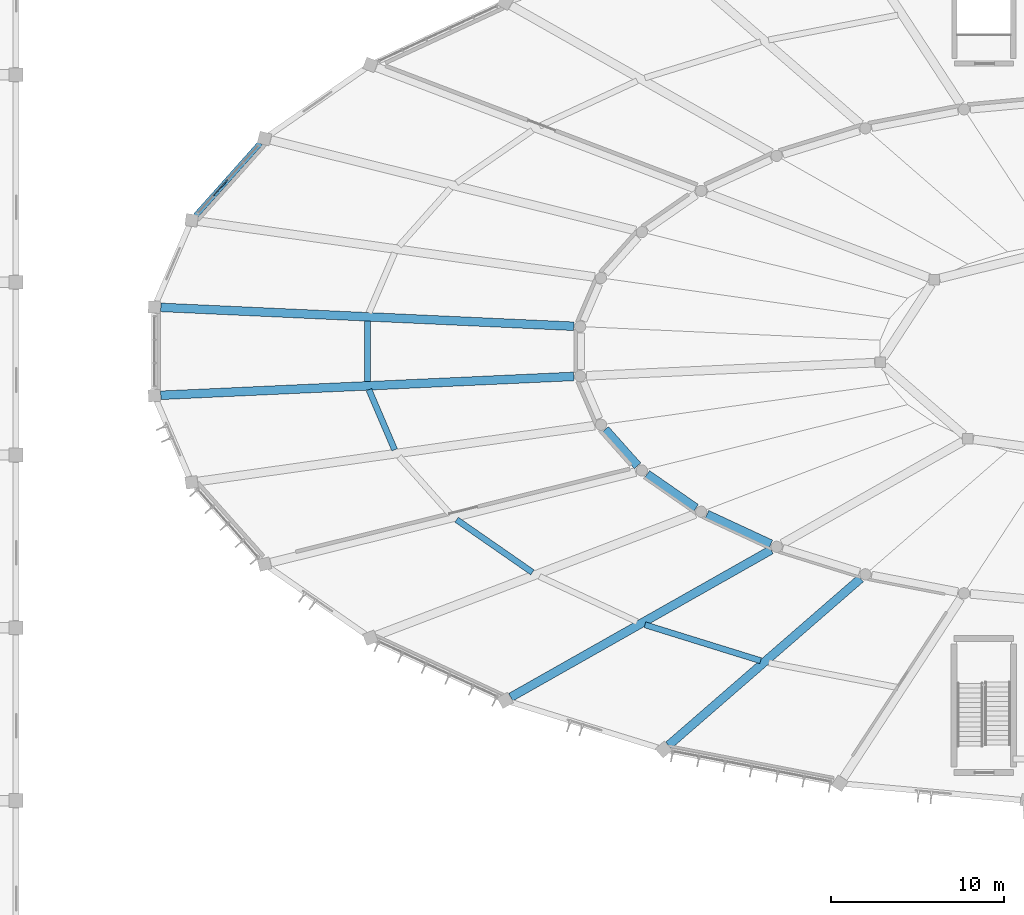
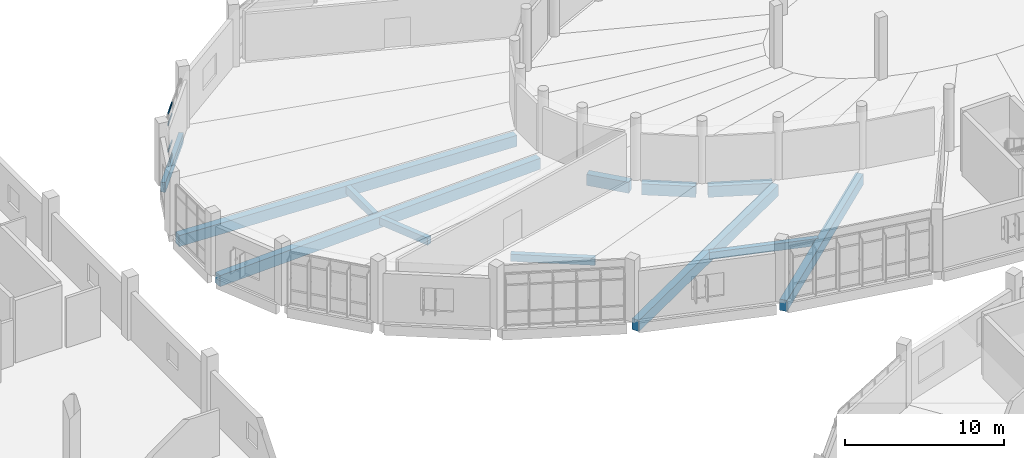
# One storey, part 33 of 179: 12 beams, 4 members, 1 element without a shape of its own.
"""IFC4 building model written with IfcOpenShell, lengths in metres."""

from ifc_helpers import new_model, si_unit, direction, frame, origin, origin_2d, place, context, subcontext, project, spatial, rectangle, extrude, material, layer, layer_set, material_profile, profile_set, type_object, element, aggregate, save


model = new_model("IFC4")

# Units and contexts
model_context = context("Model", 3, precision=1e-05, world=origin(), true_north=direction((0.0, 1.0)))
body_context = subcontext(model_context, "Body", "Model", "MODEL_VIEW")
ifc_project = project(units=[si_unit("LENGTHUNIT", "METRE"), si_unit("AREAUNIT", "SQUARE_METRE"), si_unit("VOLUMEUNIT", "CUBIC_METRE"), si_unit("PLANEANGLEUNIT", "RADIAN"), si_unit("MASSUNIT", "GRAM", prefix="KILO")], contexts=[model_context])

# Site, building, storey
site_placement = place(None, origin())
site = spatial("IfcSite", under=ifc_project, at=site_placement, CompositionType="ELEMENT")
building_placement = place(site_placement, origin())
building = spatial("IfcBuilding", under=site, at=building_placement, Name="Corvandel Quay Wholesale Market", CompositionType="ELEMENT")
storey_placement = place(building_placement, frame((0.0, 0.0, 6.0)))
storey = spatial("IfcBuildingStorey", under=building, at=storey_placement, Name="L01", CompositionType="ELEMENT", Elevation=6.0)

# Curtain wall, members
ifc_material_1 = material(Name="Bronze anodised aluminium and low-E insulated glazing", Category="aluminium")
ifc_layer = layer(ifc_material_1, 0.14990234375)
ifc_layer_set = layer_set([ifc_layer], Name="Bronze anodised aluminium and low-E insulated glazing")
curtain_wall_type = type_object("IfcCurtainWallType", Name="Stick Curtain Wall System CW20 H4800", PredefinedType="NOTDEFINED", material=ifc_layer_set)
curtain_wall_placement = place(storey_placement, origin())
curtain_wall = element("IfcCurtainWall", 1, at=curtain_wall_placement, inside=storey, type_object=curtain_wall_type, Name="Curtain Wall CW-0102", PredefinedType="NOTDEFINED")
ifc_material_2 = material(Name="Anodised aluminium 6063-T6", Category="aluminium")
ifc_material_profile_1 = material_profile(ifc_material_2, rectangle(XDim=0.06005859375, YDim=0.110107421875, at=origin_2d()), Name="ALU-TRN-60x110")
ifc_profile_set_1 = profile_set([ifc_material_profile_1], Name="Anodised aluminium 6063-T6")
member_type = type_object("IfcMemberType", Name="Curtain Wall Transom TR02 60x110", PredefinedType="USERDEFINED", material=ifc_profile_set_1)
member_1_placement = place(storey_placement, frame((62.240966796875, 125.92578125, 0.0), z_axis=(-0.665732423865, -0.746190551947, 0.0), x_axis=(0.746190551947, -0.665732423865, 0.0)))
member_1 = element("IfcMember", 2, at=member_1_placement, type_object=member_type, Name="Transom CW-0102-T02-0", ObjectType="TRANSOM", PredefinedType="USERDEFINED", context=body_context, shape_type="SweptSolid", body=[
    extrude(rectangle(XDim=0.06005859375, YDim=0.110107421875, at=origin_2d()), origin(), (0.0, 0.0, 1.0), 1.250244140625),
])
member_2_placement = place(storey_placement, frame((62.240966796875, 125.92578125, 1.050048828125), z_axis=(-0.665732423865, -0.746190551947, 0.0), x_axis=(0.746190551947, -0.665732423865, 0.0)))
member_2 = element("IfcMember", 3, at=member_2_placement, type_object=member_type, Name="Transom CW-0102-T02-1", ObjectType="TRANSOM", PredefinedType="USERDEFINED", context=body_context, shape_type="SweptSolid", body=[
    extrude(rectangle(XDim=0.06005859375, YDim=0.110107421875, at=origin_2d()), origin(), (0.0, 0.0, 1.0), 1.250244140625),
])
member_3_placement = place(storey_placement, frame((62.240966796875, 125.92578125, 3.10009765625), z_axis=(-0.665732423865, -0.746190551947, 0.0), x_axis=(0.746190551947, -0.665732423865, 0.0)))
member_3 = element("IfcMember", 4, at=member_3_placement, type_object=member_type, Name="Transom CW-0102-T02-2", ObjectType="TRANSOM", PredefinedType="USERDEFINED", context=body_context, shape_type="SweptSolid", body=[
    extrude(rectangle(XDim=0.06005859375, YDim=0.110107421875, at=origin_2d()), origin(), (0.0, 0.0, 1.0), 1.250244140625),
])
member_4_placement = place(storey_placement, frame((62.240966796875, 125.92578125, 3.949951171875), z_axis=(-0.665732423865, -0.746190551947, 0.0), x_axis=(0.746190551947, -0.665732423865, 0.0)))
member_4 = element("IfcMember", 5, at=member_4_placement, type_object=member_type, Name="Transom CW-0102-T02-3", ObjectType="TRANSOM", PredefinedType="USERDEFINED", context=body_context, shape_type="SweptSolid", body=[
    extrude(rectangle(XDim=0.06005859375, YDim=0.110107421875, at=origin_2d()), origin(), (0.0, 0.0, 1.0), 1.250244140625),
])
aggregate(curtain_wall, [member_1, member_2, member_3, member_4])

# Beams
ifc_material_3 = material(Name="Precast concrete C45/55", Category="concrete")
ifc_material_profile_2 = material_profile(ifc_material_3, rectangle(XDim=0.5, YDim=0.85009765625, at=origin_2d()), Name="PC-GIR-500x850")
ifc_profile_set_2 = profile_set([ifc_material_profile_2], Name="Precast concrete C45/55")
beam_type_1 = type_object("IfcBeamType", Name="Fish Hall Radial Girder G04 500x850", PredefinedType="USERDEFINED", material=ifc_profile_set_2)
for number, where, z_axis, x_axis, name in (
    (6, (58.36962890625, 118.544189453125, -0.705078125), (0.998955496989, -0.045693708917, 0.0), (0.045693708917, 0.998955496989, 0.0), "Beam BM-0627"),
    (7, (58.36962890625, 113.455810546875, -0.705078125), (0.998955496989, 0.045693708917, 0.0), (-0.045693708917, 0.998955496989, 0.0), "Beam BM-0634"),
):
    element("IfcBeam", number, at=place(storey_placement, frame(where, z_axis=z_axis, x_axis=x_axis)), inside=storey, type_object=beam_type_1, Name=name, ObjectType="GIRDER", PredefinedType="USERDEFINED", context=body_context, shape_type="SweptSolid", body=[
        extrude(rectangle(XDim=0.5, YDim=0.85009765625, at=origin_2d()), origin(), (0.0, 0.0, 1.0), 23.92578125),
    ])
beam_1_placement = place(storey_placement, frame((84.09130859375, 111.476806640625, -0.705078125), z_axis=(0.665705048761, -0.746214974423, 0.0), x_axis=(0.746214974423, 0.665705048761, 0.0)))
element("IfcBeam", 8, at=beam_1_placement, inside=storey, type_object=beam_type_1, Name="Beam BM-0640", ObjectType="GIRDER", PredefinedType="USERDEFINED", context=body_context, shape_type="SweptSolid", body=[
    extrude(rectangle(XDim=0.5, YDim=0.85009765625, at=origin_2d()), origin(), (0.0, 0.0, 1.0), 2.81103515625),
])
beam_2_placement = place(storey_placement, frame((86.512939453125, 108.891845703125, -0.705078125), z_axis=(0.821314522828, -0.570475638911, 0.0), x_axis=(0.570475638911, 0.821314522828, 0.0)))
element("IfcBeam", 9, at=beam_2_placement, inside=storey, type_object=beam_type_1, Name="Beam BM-0647", ObjectType="GIRDER", PredefinedType="USERDEFINED", context=body_context, shape_type="SweptSolid", body=[
    extrude(rectangle(XDim=0.5, YDim=0.85009765625, at=origin_2d()), origin(), (0.0, 0.0, 1.0), 3.438720703125),
])
beam_3_placement = place(storey_placement, frame((89.9765625, 106.563232421875, -0.705078125), z_axis=(0.90699099093, -0.421150023592, 0.0), x_axis=(0.421150023592, 0.90699099093, 0.0)))
element("IfcBeam", 10, at=beam_3_placement, inside=storey, type_object=beam_type_1, Name="Beam BM-0654", ObjectType="GIRDER", PredefinedType="USERDEFINED", context=body_context, shape_type="SweptSolid", body=[
    extrude(rectangle(XDim=0.5, YDim=0.85009765625, at=origin_2d()), origin(), (0.0, 0.0, 1.0), 4.075927734375),
])
beam_4_placement = place(storey_placement, frame((78.6240234375, 95.986083984375, -0.705078125), z_axis=(0.870343899496, 0.492444409665, 0.0), x_axis=(-0.492444409665, 0.870343899496, 0.0)))
element("IfcBeam", 11, at=beam_4_placement, inside=storey, type_object=beam_type_1, Name="Beam BM-0662", ObjectType="GIRDER", PredefinedType="USERDEFINED", context=body_context, shape_type="SweptSolid", body=[
    extrude(rectangle(XDim=0.5, YDim=0.85009765625, at=origin_2d()), origin(), (0.0, 0.0, 1.0), 17.306884765625),
])
beam_5_placement = place(storey_placement, frame((87.75341796875, 93.20166015625, -0.705078125), z_axis=(0.754943219041, 0.655790161579, 0.0), x_axis=(-0.655790161579, 0.754943219041, 0.0)))
element("IfcBeam", 12, at=beam_5_placement, inside=storey, type_object=beam_type_1, Name="Beam BM-0669", ObjectType="GIRDER", PredefinedType="USERDEFINED", context=body_context, shape_type="SweptSolid", body=[
    extrude(rectangle(XDim=0.5, YDim=0.85009765625, at=origin_2d()), origin(), (0.0, 0.0, 1.0), 14.719482421875),
])
ifc_material_profile_3 = material_profile(ifc_material_3, rectangle(XDim=0.320068359375, YDim=0.75, at=origin_2d()), Name="PC-SPN-320x750")
ifc_profile_set_3 = profile_set([ifc_material_profile_3], Name="Precast concrete C45/55")
beam_type_2 = type_object("IfcBeamType", Name="Pavilion Precast Spandrel SP02 320x750", PredefinedType="SPANDREL", material=ifc_profile_set_3)
beam_6_placement = place(storey_placement, frame((64.126708984375, 128.039794921875, -0.655029296875), z_axis=(-0.66568308194, -0.74623457064, 0.0), x_axis=(0.74623457064, -0.66568308194, 0.0)))
element("IfcBeam", 13, at=beam_6_placement, inside=storey, type_object=beam_type_2, Name="Beam BM-0611", PredefinedType="SPANDREL", context=body_context, shape_type="SweptSolid", body=[
    extrude(rectangle(XDim=0.320068359375, YDim=0.75, at=origin_2d()), origin(), (0.0, 0.0, 1.0), 5.60107421875),
])
ifc_material_profile_4 = material_profile(ifc_material_3, rectangle(XDim=0.35009765625, YDim=0.550048828125, at=origin_2d()), Name="PC-BM-350x550")
ifc_profile_set_4 = profile_set([ifc_material_profile_4], Name="Precast concrete C45/55")
beam_type_3 = type_object("IfcBeamType", Name="Standard Floor Secondary Beam B03 350x550", PredefinedType="BEAM", material=ifc_profile_set_4)
beam_7_placement = place(storey_placement, frame((70.320068359375, 117.757568359375, -0.554931640625), z_axis=(0.0, -1.0, 0.0), x_axis=(1.0, 0.0, 0.0)))
element("IfcBeam", 14, at=beam_7_placement, inside=storey, type_object=beam_type_3, Name="Beam BM-0628", PredefinedType="BEAM", context=body_context, shape_type="SweptSolid", body=[
    extrude(rectangle(XDim=0.35009765625, YDim=0.550048828125, at=origin_2d()), origin(), (0.0, 0.0, 1.0), 3.51513671875),
])
beam_8_placement = place(storey_placement, frame((70.41455078125, 113.781982421875, -0.554931640625), z_axis=(0.393794654561, -0.91919843888, 0.0), x_axis=(0.91919843888, 0.393794654561, 0.0)))
element("IfcBeam", 15, at=beam_8_placement, inside=storey, type_object=beam_type_3, Name="Beam BM-0635", PredefinedType="BEAM", context=body_context, shape_type="SweptSolid", body=[
    extrude(rectangle(XDim=0.35009765625, YDim=0.550048828125, at=origin_2d()), origin(), (0.0, 0.0, 1.0), 3.782470703125),
])
beam_9_placement = place(storey_placement, frame((75.488037109375, 106.256591796875, -0.554931640625), z_axis=(0.821286078293, -0.570516588366, 0.0), x_axis=(0.570516588366, 0.821286078293, 0.0)))
element("IfcBeam", 16, at=beam_9_placement, inside=storey, type_object=beam_type_3, Name="Beam BM-0649", PredefinedType="BEAM", context=body_context, shape_type="SweptSolid", body=[
    extrude(rectangle(XDim=0.35009765625, YDim=0.550048828125, at=origin_2d()), origin(), (0.0, 0.0, 1.0), 5.341064453125),
])
beam_10_placement = place(storey_placement, frame((86.384765625, 100.176513671875, -0.554931640625), z_axis=(0.955085890654, -0.296329110067, 0.0), x_axis=(0.296329110067, 0.955085890654, 0.0)))
element("IfcBeam", 17, at=beam_10_placement, inside=storey, type_object=beam_type_3, Name="Beam BM-0663", PredefinedType="BEAM", context=body_context, shape_type="SweptSolid", body=[
    extrude(rectangle(XDim=0.35009765625, YDim=0.550048828125, at=origin_2d()), origin(), (0.0, 0.0, 1.0), 7.010498046875),
])

save(model, "model.ifc")
